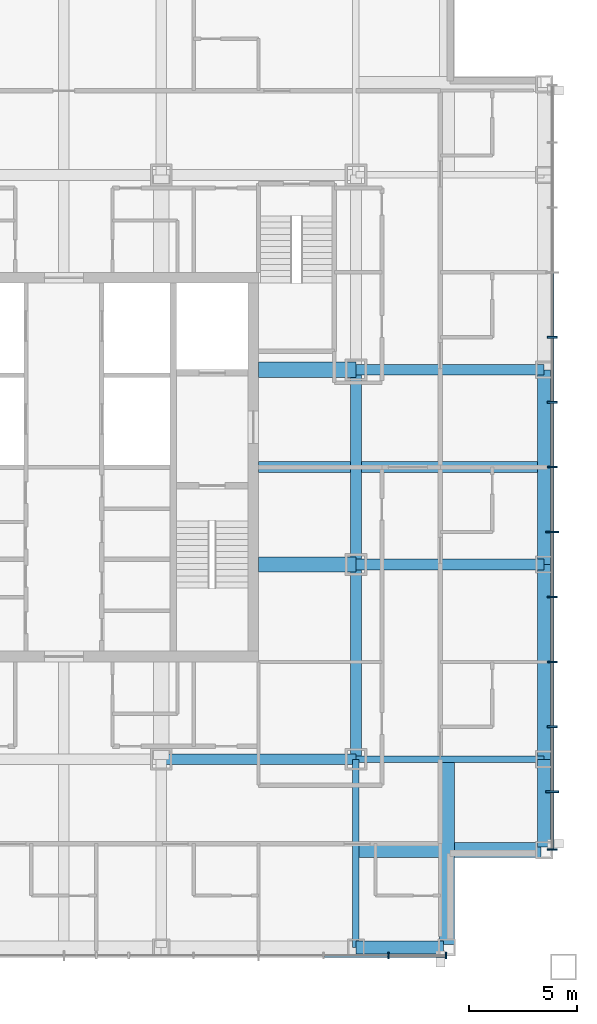
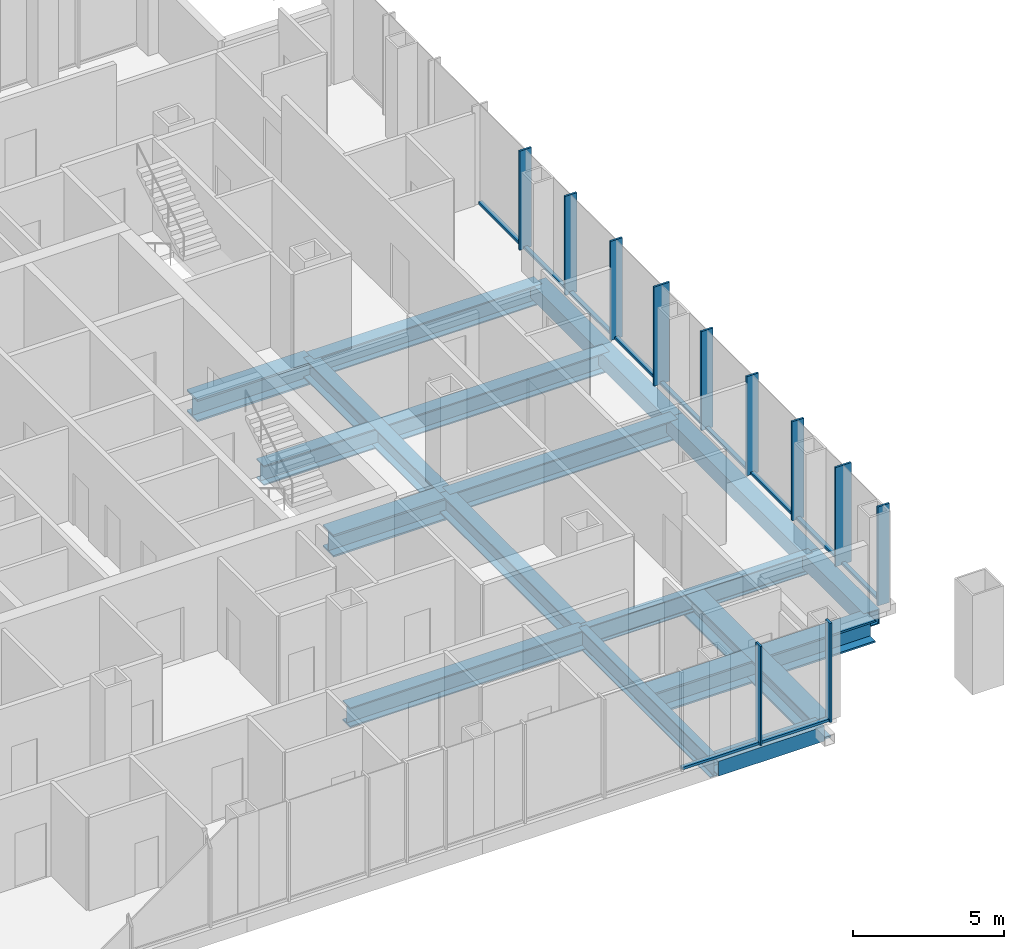
# One storey, part 3 of 11: 22 members, 16 beams, 2 elements without a shape of their own.
"""IFC4 building model written with IfcOpenShell, lengths in metres."""

from ifc_helpers import new_model, si_unit, direction, frame, origin, origin_2d, place, context, subcontext, project, spatial, rectangle, hollow_rectangle, i_section, extrude, material, layer, layer_set, material_profile, profile_set, type_object, element, aggregate, save


model = new_model("IFC4")

# Units and contexts
model_context = context("Model", 3, precision=1e-05, world=origin(), true_north=direction((0.0, 1.0)))
body_context = subcontext(model_context, "Body", "Model", "MODEL_VIEW")
ifc_project = project(units=[si_unit("LENGTHUNIT", "METRE"), si_unit("AREAUNIT", "SQUARE_METRE"), si_unit("VOLUMEUNIT", "CUBIC_METRE"), si_unit("PLANEANGLEUNIT", "RADIAN"), si_unit("MASSUNIT", "GRAM", prefix="KILO")], contexts=[model_context])

# Site, building, storey
site_placement = place(None, origin())
site = spatial("IfcSite", under=ifc_project, at=site_placement, CompositionType="ELEMENT")
building_placement = place(site_placement, origin())
building = spatial("IfcBuilding", under=site, at=building_placement, Name="Malebo Sky Hospital", CompositionType="ELEMENT")
storey_placement = place(building_placement, frame((0.0, 0.0, 205.0)))
storey = spatial("IfcBuildingStorey", under=building, at=storey_placement, Name="L49", CompositionType="ELEMENT", Elevation=205.0)

# Curtain wall, members
ifc_material_1 = material(Name="Anodised aluminium, natural silver", Category="aluminium")
ifc_layer_1 = layer(ifc_material_1, 0.25)
ifc_layer_set_1 = layer_set([ifc_layer_1], Name="WARD CURTAIN WALL NORTH AND SOUTH")
curtain_wall_type_1 = type_object("IfcCurtainWallType", Name="WARD CURTAIN WALL NORTH AND SOUTH", PredefinedType="NOTDEFINED", material=ifc_layer_set_1)
curtain_wall_1_placement = place(storey_placement, origin())
curtain_wall_1 = element("IfcCurtainWall", 1, at=curtain_wall_1_placement, inside=storey, type_object=curtain_wall_type_1, Name="NS curtain wall S", PredefinedType="NOTDEFINED")
ifc_material_profile_1 = material_profile(ifc_material_1, rectangle(XDim=0.14990234375, YDim=0.10009765625, at=origin_2d()), Name="ALUMINIUM TRANSOM 150x100")
ifc_profile_set_1 = profile_set([ifc_material_profile_1], Name="Anodised aluminium, natural silver")
member_type_1 = type_object("IfcMemberType", Name="ALUMINIUM TRANSOM 150x100", PredefinedType="USERDEFINED", material=ifc_profile_set_1)
member_1_placement = place(storey_placement, frame((77.625, 39.425048828125, 0.050048828125), z_axis=(-1.0, 0.0, 0.0), x_axis=(0.0, -1.0, 0.0)))
member_1 = element("IfcMember", 2, at=member_1_placement, type_object=member_type_1, Name="Transom 1", ObjectType="TRANSOM", PredefinedType="USERDEFINED", context=body_context, shape_type="SweptSolid", body=[
    extrude(rectangle(XDim=0.14990234375, YDim=0.10009765625, at=origin_2d()), origin(), (0.0, 0.0, 1.0), 2.58740234375),
])
member_2_placement = place(storey_placement, frame((74.96240234375, 39.425048828125, 0.050048828125), z_axis=(-1.0, 0.0, 0.0), x_axis=(0.0, -1.0, 0.0)))
member_2 = element("IfcMember", 3, at=member_2_placement, type_object=member_type_1, Name="Transom 2", ObjectType="TRANSOM", PredefinedType="USERDEFINED", context=body_context, shape_type="SweptSolid", body=[
    extrude(rectangle(XDim=0.14990234375, YDim=0.10009765625, at=origin_2d()), origin(), (0.0, 0.0, 1.0), 2.9248046875),
])

ifc_layer_2 = layer(ifc_material_1, 0.25)
ifc_layer_set_2 = layer_set([ifc_layer_2], Name="WARD CURTAIN WALL EAST AND WEST")
curtain_wall_type_2 = type_object("IfcCurtainWallType", Name="WARD CURTAIN WALL EAST AND WEST", PredefinedType="NOTDEFINED", material=ifc_layer_set_2)
curtain_wall_2_placement = place(storey_placement, origin())
curtain_wall_2 = element("IfcCurtainWall", 4, at=curtain_wall_2_placement, inside=storey, type_object=curtain_wall_type_2, Name="EW curtain wall E", PredefinedType="NOTDEFINED")
member_3_placement = place(storey_placement, frame((82.574951171875, 70.96240234375, 0.050048828125), z_axis=(0.0, -1.0, 0.0), x_axis=(1.0, 0.0, 0.0)))
member_3 = element("IfcMember", 5, at=member_3_placement, type_object=member_type_1, Name="Transom 4", ObjectType="TRANSOM", PredefinedType="USERDEFINED", context=body_context, shape_type="SweptSolid", body=[
    extrude(rectangle(XDim=0.14990234375, YDim=0.10009765625, at=origin_2d()), origin(), (0.0, 0.0, 1.0), 2.9248046875),
])
member_4_placement = place(storey_placement, frame((82.574951171875, 67.96240234375, 0.050048828125), z_axis=(0.0, -1.0, 0.0), x_axis=(1.0, 0.0, 0.0)))
member_4 = element("IfcMember", 6, at=member_4_placement, type_object=member_type_1, Name="Transom 5", ObjectType="TRANSOM", PredefinedType="USERDEFINED", context=body_context, shape_type="SweptSolid", body=[
    extrude(rectangle(XDim=0.14990234375, YDim=0.10009765625, at=origin_2d()), origin(), (0.0, 0.0, 1.0), 2.9248046875),
])
member_5_placement = place(storey_placement, frame((82.574951171875, 64.96240234375, 0.050048828125), z_axis=(0.0, -1.0, 0.0), x_axis=(1.0, 0.0, 0.0)))
member_5 = element("IfcMember", 7, at=member_5_placement, type_object=member_type_1, Name="Transom 6", ObjectType="TRANSOM", PredefinedType="USERDEFINED", context=body_context, shape_type="SweptSolid", body=[
    extrude(rectangle(XDim=0.14990234375, YDim=0.10009765625, at=origin_2d()), origin(), (0.0, 0.0, 1.0), 2.9248046875),
])
member_6_placement = place(storey_placement, frame((82.574951171875, 61.96240234375, 0.050048828125), z_axis=(0.0, -1.0, 0.0), x_axis=(1.0, 0.0, 0.0)))
member_6 = element("IfcMember", 8, at=member_6_placement, type_object=member_type_1, Name="Transom 7", ObjectType="TRANSOM", PredefinedType="USERDEFINED", context=body_context, shape_type="SweptSolid", body=[
    extrude(rectangle(XDim=0.14990234375, YDim=0.10009765625, at=origin_2d()), origin(), (0.0, 0.0, 1.0), 2.9248046875),
])
member_7_placement = place(storey_placement, frame((82.574951171875, 58.96240234375, 0.050048828125), z_axis=(0.0, -1.0, 0.0), x_axis=(1.0, 0.0, 0.0)))
member_7 = element("IfcMember", 9, at=member_7_placement, type_object=member_type_1, Name="Transom 8", ObjectType="TRANSOM", PredefinedType="USERDEFINED", context=body_context, shape_type="SweptSolid", body=[
    extrude(rectangle(XDim=0.14990234375, YDim=0.10009765625, at=origin_2d()), origin(), (0.0, 0.0, 1.0), 2.9248046875),
])
member_8_placement = place(storey_placement, frame((82.574951171875, 55.96240234375, 0.050048828125), z_axis=(0.0, -1.0, 0.0), x_axis=(1.0, 0.0, 0.0)))
member_8 = element("IfcMember", 10, at=member_8_placement, type_object=member_type_1, Name="Transom 9", ObjectType="TRANSOM", PredefinedType="USERDEFINED", context=body_context, shape_type="SweptSolid", body=[
    extrude(rectangle(XDim=0.14990234375, YDim=0.10009765625, at=origin_2d()), origin(), (0.0, 0.0, 1.0), 2.9248046875),
])
member_9_placement = place(storey_placement, frame((82.574951171875, 52.96240234375, 0.050048828125), z_axis=(0.0, -1.0, 0.0), x_axis=(1.0, 0.0, 0.0)))
member_9 = element("IfcMember", 11, at=member_9_placement, type_object=member_type_1, Name="Transom 10", ObjectType="TRANSOM", PredefinedType="USERDEFINED", context=body_context, shape_type="SweptSolid", body=[
    extrude(rectangle(XDim=0.14990234375, YDim=0.10009765625, at=origin_2d()), origin(), (0.0, 0.0, 1.0), 2.9248046875),
])
member_10_placement = place(storey_placement, frame((82.574951171875, 49.96240234375, 0.050048828125), z_axis=(0.0, -1.0, 0.0), x_axis=(1.0, 0.0, 0.0)))
member_10 = element("IfcMember", 12, at=member_10_placement, type_object=member_type_1, Name="Transom 11", ObjectType="TRANSOM", PredefinedType="USERDEFINED", context=body_context, shape_type="SweptSolid", body=[
    extrude(rectangle(XDim=0.14990234375, YDim=0.10009765625, at=origin_2d()), origin(), (0.0, 0.0, 1.0), 2.9248046875),
])
member_11_placement = place(storey_placement, frame((82.574951171875, 46.96240234375, 0.050048828125), z_axis=(0.0, -1.0, 0.0), x_axis=(1.0, 0.0, 0.0)))
member_11 = element("IfcMember", 13, at=member_11_placement, type_object=member_type_1, Name="Transom 12", ObjectType="TRANSOM", PredefinedType="USERDEFINED", context=body_context, shape_type="SweptSolid", body=[
    extrude(rectangle(XDim=0.14990234375, YDim=0.10009765625, at=origin_2d()), origin(), (0.0, 0.0, 1.0), 2.58740234375),
])

# Member
ifc_material_profile_2 = material_profile(ifc_material_1, rectangle(XDim=0.074951171875, YDim=0.300048828125, at=origin_2d()), Name="CW1 ALUMINIUM FIN MULLION 75x300")
ifc_profile_set_2 = profile_set([ifc_material_profile_2], Name="Anodised aluminium, natural silver")
member_type_2 = type_object("IfcMemberType", Name="CW1 ALUMINIUM FIN MULLION 75x300", PredefinedType="MULLION", material=ifc_profile_set_2)
member_12_placement = place(storey_placement, frame((77.66259765625, 39.425048828125, 0.0), z_axis=(0.0, 0.0, 1.0), x_axis=(-1.0, 0.0, 0.0)))
member_12 = element("IfcMember", 14, at=member_12_placement, type_object=member_type_2, Name="Fin mullion 1", PredefinedType="MULLION", context=body_context, shape_type="SweptSolid", body=[
    extrude(rectangle(XDim=0.074951171875, YDim=0.300048828125, at=origin_2d()), origin(), (0.0, 0.0, 1.0), 4.0),
])

member_13_placement = place(storey_placement, frame((75.0, 39.425048828125, 0.0), z_axis=(0.0, 0.0, 1.0), x_axis=(-1.0, 0.0, 0.0)))
member_13 = element("IfcMember", 15, at=member_13_placement, type_object=member_type_2, Name="Fin mullion 2", PredefinedType="MULLION", context=body_context, shape_type="SweptSolid", body=[
    extrude(rectangle(XDim=0.074951171875, YDim=0.300048828125, at=origin_2d()), origin(), (0.0, 0.0, 1.0), 4.0),
])

aggregate(curtain_wall_1, [member_12, member_13, member_1, member_2])

ifc_material_profile_3 = material_profile(ifc_material_1, rectangle(XDim=0.074951171875, YDim=0.449951171875, at=origin_2d()), Name="CW2 ALUMINIUM FIN MULLION 75x450")
ifc_profile_set_3 = profile_set([ifc_material_profile_3], Name="Anodised aluminium, natural silver")
member_type_3 = type_object("IfcMemberType", Name="CW2 ALUMINIUM FIN MULLION 75x450", PredefinedType="MULLION", material=ifc_profile_set_3)
member_14_placement = place(storey_placement, frame((82.574951171875, 68.0, 0.0), z_axis=(0.0, 0.0, 1.0), x_axis=(0.0, -1.0, 0.0)))
member_14 = element("IfcMember", 16, at=member_14_placement, type_object=member_type_3, Name="Fin mullion 5", PredefinedType="MULLION", context=body_context, shape_type="SweptSolid", body=[
    extrude(rectangle(XDim=0.074951171875, YDim=0.449951171875, at=origin_2d()), origin(), (0.0, 0.0, 1.0), 4.0),
])

member_15_placement = place(storey_placement, frame((82.574951171875, 65.0, 0.0), z_axis=(0.0, 0.0, 1.0), x_axis=(0.0, -1.0, 0.0)))
member_15 = element("IfcMember", 17, at=member_15_placement, type_object=member_type_3, Name="Fin mullion 6", PredefinedType="MULLION", context=body_context, shape_type="SweptSolid", body=[
    extrude(rectangle(XDim=0.074951171875, YDim=0.449951171875, at=origin_2d()), origin(), (0.0, 0.0, 1.0), 4.0),
])

member_16_placement = place(storey_placement, frame((82.574951171875, 62.0, 0.0), z_axis=(0.0, 0.0, 1.0), x_axis=(0.0, -1.0, 0.0)))
member_16 = element("IfcMember", 18, at=member_16_placement, type_object=member_type_3, Name="Fin mullion 7", PredefinedType="MULLION", context=body_context, shape_type="SweptSolid", body=[
    extrude(rectangle(XDim=0.074951171875, YDim=0.449951171875, at=origin_2d()), origin(), (0.0, 0.0, 1.0), 4.0),
])

member_17_placement = place(storey_placement, frame((82.574951171875, 56.0, 0.0), z_axis=(0.0, 0.0, 1.0), x_axis=(0.0, -1.0, 0.0)))
member_17 = element("IfcMember", 19, at=member_17_placement, type_object=member_type_3, Name="Fin mullion 9", PredefinedType="MULLION", context=body_context, shape_type="SweptSolid", body=[
    extrude(rectangle(XDim=0.074951171875, YDim=0.449951171875, at=origin_2d()), origin(), (0.0, 0.0, 1.0), 4.0),
])

member_18_placement = place(storey_placement, frame((82.574951171875, 53.0, 0.0), z_axis=(0.0, 0.0, 1.0), x_axis=(0.0, -1.0, 0.0)))
member_18 = element("IfcMember", 20, at=member_18_placement, type_object=member_type_3, Name="Fin mullion 10", PredefinedType="MULLION", context=body_context, shape_type="SweptSolid", body=[
    extrude(rectangle(XDim=0.074951171875, YDim=0.449951171875, at=origin_2d()), origin(), (0.0, 0.0, 1.0), 4.0),
])

member_19_placement = place(storey_placement, frame((82.574951171875, 50.0, 0.0), z_axis=(0.0, 0.0, 1.0), x_axis=(0.0, -1.0, 0.0)))
member_19 = element("IfcMember", 21, at=member_19_placement, type_object=member_type_3, Name="Fin mullion 11", PredefinedType="MULLION", context=body_context, shape_type="SweptSolid", body=[
    extrude(rectangle(XDim=0.074951171875, YDim=0.449951171875, at=origin_2d()), origin(), (0.0, 0.0, 1.0), 4.0),
])

member_20_placement = place(storey_placement, frame((82.574951171875, 44.33740234375, 0.0), z_axis=(0.0, 0.0, 1.0), x_axis=(0.0, -1.0, 0.0)))
member_20 = element("IfcMember", 22, at=member_20_placement, type_object=member_type_3, Name="Fin mullion 13", PredefinedType="MULLION", context=body_context, shape_type="SweptSolid", body=[
    extrude(rectangle(XDim=0.074951171875, YDim=0.449951171875, at=origin_2d()), origin(), (0.0, 0.0, 1.0), 4.0),
])

ifc_material_profile_4 = material_profile(ifc_material_1, rectangle(XDim=0.074951171875, YDim=0.60009765625, at=origin_2d()), Name="CW2 ALUMINIUM FIN MULLION 75x600")
ifc_profile_set_4 = profile_set([ifc_material_profile_4], Name="Anodised aluminium, natural silver")
member_type_4 = type_object("IfcMemberType", Name="CW2 ALUMINIUM FIN MULLION 75x600", PredefinedType="MULLION", material=ifc_profile_set_4)
member_21_placement = place(storey_placement, frame((82.574951171875, 59.0, 0.0), z_axis=(0.0, 0.0, 1.0), x_axis=(0.0, -1.0, 0.0)))
member_21 = element("IfcMember", 23, at=member_21_placement, type_object=member_type_4, Name="Fin mullion 8", PredefinedType="MULLION", context=body_context, shape_type="SweptSolid", body=[
    extrude(rectangle(XDim=0.074951171875, YDim=0.60009765625, at=origin_2d()), origin(), (0.0, 0.0, 1.0), 4.0),
])

member_22_placement = place(storey_placement, frame((82.574951171875, 47.0, 0.0), z_axis=(0.0, 0.0, 1.0), x_axis=(0.0, -1.0, 0.0)))
member_22 = element("IfcMember", 24, at=member_22_placement, type_object=member_type_4, Name="Fin mullion 12", PredefinedType="MULLION", context=body_context, shape_type="SweptSolid", body=[
    extrude(rectangle(XDim=0.074951171875, YDim=0.60009765625, at=origin_2d()), origin(), (0.0, 0.0, 1.0), 4.0),
])

aggregate(curtain_wall_2, [member_14, member_15, member_16, member_21, member_17, member_18, member_19, member_22, member_20, member_3, member_4, member_5, member_6, member_7, member_8, member_9, member_10, member_11])

# Beams
ifc_material_2 = material(Name="Steel S460", Category="steel")
ifc_material_profile_5 = material_profile(ifc_material_2, hollow_rectangle(XDim=0.60009765625, YDim=0.60009765625, WallThickness=0.0400390625, at=origin_2d()), Name="BOX 600x600x40")
ifc_profile_set_5 = profile_set([ifc_material_profile_5], Name="Steel S460")
beam_type_1 = type_object("IfcBeamType", Name="EDGE BEAM BOX 600x600x40", PredefinedType="BEAM", material=ifc_profile_set_5)
beam_1_placement = place(storey_placement, frame((82.199951171875, 44.449951171875, -0.550048828125), z_axis=(0.0, 1.0, 0.0), x_axis=(-1.0, 0.0, 0.0)))
element("IfcBeam", 25, at=beam_1_placement, inside=storey, type_object=beam_type_1, Name="Beam 029 L49", PredefinedType="BEAM", context=body_context, shape_type="SweptSolid", body=[
    extrude(hollow_rectangle(XDim=0.60009765625, YDim=0.60009765625, WallThickness=0.0400390625, at=origin_2d()), origin(), (0.0, 0.0, 1.0), 4.050048828125),
])
for number, where, z_axis, x_axis, name in (
    (26, (82.199951171875, 48.5, -0.550048828125), (0.0, 1.0, 0.0), (-1.0, 0.0, 0.0), "Beam 030 L49"),
    (27, (82.199951171875, 57.5, -0.550048828125), (0.0, 1.0, 0.0), (-1.0, 0.0, 0.0), "Beam 031 L49"),
):
    element("IfcBeam", number, at=place(storey_placement, frame(where, z_axis=z_axis, x_axis=x_axis)), inside=storey, type_object=beam_type_1, Name=name, PredefinedType="BEAM", context=body_context, shape_type="SweptSolid", body=[
        extrude(hollow_rectangle(XDim=0.60009765625, YDim=0.60009765625, WallThickness=0.0400390625, at=origin_2d()), origin(), (0.0, 0.0, 1.0), 9.0),
    ])
beam_2_placement = place(storey_placement, frame((73.5, 39.800048828125, -0.550048828125), z_axis=(1.0, 0.0, 0.0), x_axis=(0.0, 1.0, 0.0)))
element("IfcBeam", 28, at=beam_2_placement, inside=storey, type_object=beam_type_1, Name="Beam 038 L49", PredefinedType="BEAM", context=body_context, shape_type="SweptSolid", body=[
    extrude(hollow_rectangle(XDim=0.60009765625, YDim=0.60009765625, WallThickness=0.0400390625, at=origin_2d()), origin(), (0.0, 0.0, 1.0), 4.050048828125),
])
ifc_material_3 = material(Name="Steel S355", Category="steel")
ifc_material_profile_6 = material_profile(ifc_material_3, i_section(OverallWidth=0.5, OverallDepth=0.800048828125, WebThickness=0.030029296875, FlangeThickness=0.050048828125, at=origin_2d()), Name="PG 800x500x30x50")
ifc_profile_set_6 = profile_set([ifc_material_profile_6], Name="Steel S355")
beam_type_2 = type_object("IfcBeamType", Name="FLOOR BEAM PG 800x500x30x50", PredefinedType="BEAM", material=ifc_profile_set_6)
for number, where, z_axis, x_axis, name in (
    (29, (73.5, 48.5, -0.64990234375), (0.0, 1.0, 0.0), (-1.0, 0.0, 0.0), "Beam 023 L49"),
    (30, (64.5, 48.5, -0.64990234375), (1.0, 0.0, 0.0), (0.0, 1.0, 0.0), "Beam 044 L49"),
):
    element("IfcBeam", number, at=place(storey_placement, frame(where, z_axis=z_axis, x_axis=x_axis)), inside=storey, type_object=beam_type_2, Name=name, PredefinedType="BEAM", context=body_context, shape_type="SweptSolid", body=[
        extrude(i_section(OverallWidth=0.5, OverallDepth=0.800048828125, WebThickness=0.030029296875, FlangeThickness=0.050048828125, at=origin_2d()), origin(), (0.0, 0.0, 1.0), 9.0),
    ])
beam_3_placement = place(storey_placement, frame((73.5, 57.5, -0.64990234375), z_axis=(1.0, 0.0, 0.0), x_axis=(0.0, 1.0, 0.0)))
element("IfcBeam", 31, at=beam_3_placement, inside=storey, type_object=beam_type_2, Name="Beam 049 L49", PredefinedType="BEAM", context=body_context, shape_type="SweptSolid", body=[
    extrude(i_section(OverallWidth=0.5, OverallDepth=0.800048828125, WebThickness=0.030029296875, FlangeThickness=0.050048828125, at=origin_2d()), origin(), (0.0, 0.0, 1.0), 8.699951171875),
])
beam_4_placement = place(storey_placement, frame((69.0, 62.0, -0.64990234375), z_axis=(1.0, 0.0, 0.0), x_axis=(0.0, 1.0, 0.0)))
element("IfcBeam", 32, at=beam_4_placement, inside=storey, type_object=beam_type_2, Name="Beam 051 L49", PredefinedType="BEAM", context=body_context, shape_type="SweptSolid", body=[
    extrude(i_section(OverallWidth=0.5, OverallDepth=0.800048828125, WebThickness=0.030029296875, FlangeThickness=0.050048828125, at=origin_2d()), origin(), (0.0, 0.0, 1.0), 13.199951171875),
])
beam_5_placement = place(storey_placement, frame((73.5, 66.5, -0.64990234375), z_axis=(1.0, 0.0, 0.0), x_axis=(0.0, 1.0, 0.0)))
element("IfcBeam", 33, at=beam_5_placement, inside=storey, type_object=beam_type_2, Name="Beam 055 L49", PredefinedType="BEAM", context=body_context, shape_type="SweptSolid", body=[
    extrude(i_section(OverallWidth=0.5, OverallDepth=0.800048828125, WebThickness=0.030029296875, FlangeThickness=0.050048828125, at=origin_2d()), origin(), (0.0, 0.0, 1.0), 8.699951171875),
])
ifc_material_profile_7 = material_profile(ifc_material_3, i_section(OverallWidth=0.699951171875, OverallDepth=0.89990234375, WebThickness=0.0400390625, FlangeThickness=0.070068359375, at=origin_2d()), Name="PG 900x700x40x70")
ifc_profile_set_7 = profile_set([ifc_material_profile_7], Name="Steel S355")
beam_type_3 = type_object("IfcBeamType", Name="FLOOR BEAM PG 900x700x40x70", PredefinedType="BEAM", material=ifc_profile_set_7)
for number, where, z_axis, x_axis, name in (
    (34, (77.699951171875, 39.949951171875, -0.699951171875), (0.0, 1.0, 0.0), (-1.0, 0.0, 0.0), "Beam 027 L49"),
    (35, (73.5, 44.300048828125, -0.699951171875), (1.0, 0.0, 0.0), (0.0, 1.0, 0.0), "Beam 040 L49"),
):
    element("IfcBeam", number, at=place(storey_placement, frame(where, z_axis=z_axis, x_axis=x_axis)), inside=storey, type_object=beam_type_3, Name=name, PredefinedType="BEAM", context=body_context, shape_type="SweptSolid", body=[
        extrude(i_section(OverallWidth=0.699951171875, OverallDepth=0.89990234375, WebThickness=0.0400390625, FlangeThickness=0.070068359375, at=origin_2d()), origin(), (0.0, 0.0, 1.0), 8.550048828125),
    ])
for number, where, z_axis, x_axis, name in (
    (36, (69.0, 57.5, -0.699951171875), (1.0, 0.0, 0.0), (0.0, 1.0, 0.0), "Beam 048 L49"),
    (37, (69.0, 66.5, -0.699951171875), (1.0, 0.0, 0.0), (0.0, 1.0, 0.0), "Beam 054 L49"),
):
    element("IfcBeam", number, at=place(storey_placement, frame(where, z_axis=z_axis, x_axis=x_axis)), inside=storey, type_object=beam_type_3, Name=name, PredefinedType="BEAM", context=body_context, shape_type="SweptSolid", body=[
        extrude(i_section(OverallWidth=0.699951171875, OverallDepth=0.89990234375, WebThickness=0.0400390625, FlangeThickness=0.070068359375, at=origin_2d()), origin(), (0.0, 0.0, 1.0), 4.5),
    ])
ifc_material_profile_8 = material_profile(ifc_material_3, i_section(OverallWidth=0.300048828125, OverallDepth=0.800048828125, WebThickness=0.017578125, FlangeThickness=0.032958984375, FilletRadius=0.030029296875, at=origin_2d()), Name="HEB 800")
ifc_profile_set_8 = profile_set([ifc_material_profile_8], Name="Steel S355")
beam_type_4 = type_object("IfcBeamType", Name="FLOOR GIRDER HEB 800", PredefinedType="BEAM", material=ifc_profile_set_8)
for number, where, z_axis, x_axis, name in (
    (38, (73.5, 39.800048828125, -0.64990234375), (0.0, 1.0, 0.0), (-1.0, 0.0, 0.0), "Beam 022 L49"),
    (39, (73.5, 48.5, -0.64990234375), (1.0, 0.0, 0.0), (0.0, 1.0, 0.0), "Beam 045 L49"),
):
    element("IfcBeam", number, at=place(storey_placement, frame(where, z_axis=z_axis, x_axis=x_axis)), inside=storey, type_object=beam_type_4, Name=name, PredefinedType="BEAM", context=body_context, shape_type="SweptSolid", body=[
        extrude(i_section(OverallWidth=0.300048828125, OverallDepth=0.800048828125, WebThickness=0.017578125, FlangeThickness=0.032958984375, FilletRadius=0.030029296875, at=origin_2d()), origin(), (0.0, 0.0, 1.0), 8.699951171875),
    ])
ifc_material_profile_9 = material_profile(ifc_material_3, i_section(OverallWidth=0.5, OverallDepth=0.800048828125, WebThickness=0.030029296875, FlangeThickness=0.050048828125, at=origin_2d()), Name="PG 800x500x30x50")
ifc_profile_set_9 = profile_set([ifc_material_profile_9], Name="Steel S355")
beam_type_5 = type_object("IfcBeamType", Name="RING GIRDER PG 800x500x30x50", PredefinedType="BEAM", material=ifc_profile_set_9)
beam_6_placement = place(storey_placement, frame((73.5, 57.5, -0.64990234375), z_axis=(0.0, 1.0, 0.0), x_axis=(-1.0, 0.0, 0.0)))
element("IfcBeam", 40, at=beam_6_placement, inside=storey, type_object=beam_type_5, Name="Beam 024 L49", PredefinedType="BEAM", context=body_context, shape_type="SweptSolid", body=[
    extrude(i_section(OverallWidth=0.5, OverallDepth=0.800048828125, WebThickness=0.030029296875, FlangeThickness=0.050048828125, at=origin_2d()), origin(), (0.0, 0.0, 1.0), 9.0),
])

save(model, "model.ifc")
